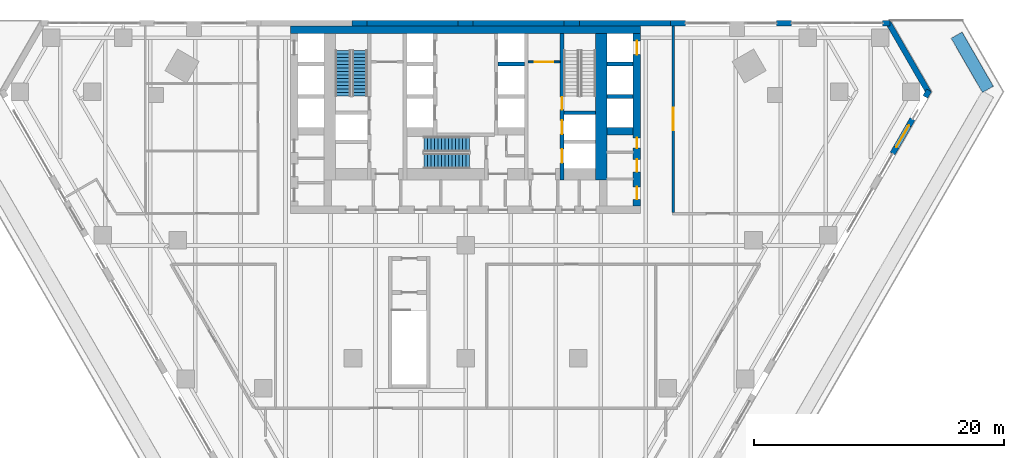
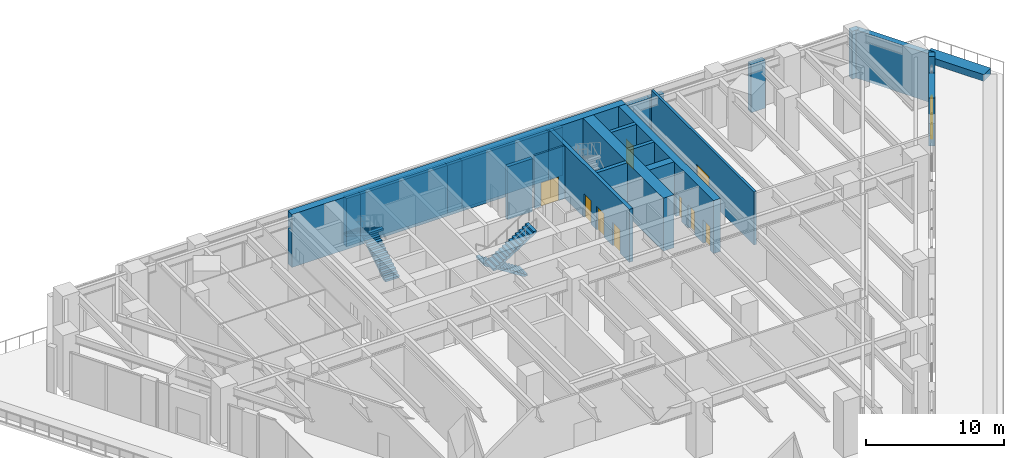
# One storey, part 26 of 31: 24 walls, 10 doors, 4 stair flights, 10 openings, 2 elements without a shape of their own.
"""IFC4 building model written with IfcOpenShell, lengths in metres."""

from ifc_helpers import new_model, si_unit, direction, frame, frame_2d, origin, place, context, subcontext, project, spatial, polyline, rectangle, outline, extrude, material, layer, layer_set, type_object, element, fill, aggregate, save


model = new_model("IFC4")

# Units and contexts
model_context = context("Model", 3, precision=1e-05, world=origin(), true_north=direction((0.0, 1.0)))
body_context = subcontext(model_context, "Body", "Model", "MODEL_VIEW")
ifc_project = project(units=[si_unit("LENGTHUNIT", "METRE"), si_unit("AREAUNIT", "SQUARE_METRE"), si_unit("VOLUMEUNIT", "CUBIC_METRE"), si_unit("PLANEANGLEUNIT", "RADIAN"), si_unit("MASSUNIT", "GRAM", prefix="KILO")], contexts=[model_context])

# Site, building, storey
site_placement = place(None, origin())
site = spatial("IfcSite", under=ifc_project, at=site_placement, CompositionType="ELEMENT")
building_placement = place(site_placement, origin())
building = spatial("IfcBuilding", under=site, at=building_placement, Name="Aloe Facet Convention Tower", CompositionType="ELEMENT")
storey_placement = place(building_placement, frame((0.0, 0.0, 25.0)))
storey = spatial("IfcBuildingStorey", under=building, at=storey_placement, Name="L04", CompositionType="ELEMENT", Elevation=25.0)

# Wall, opening, door
ifc_material_1 = material(Name="Concrete blockwork partition", Category="masonry")
ifc_layer_1 = layer(ifc_material_1, 0.14990234375)
ifc_layer_set_1 = layer_set([ifc_layer_1], Name="CR-W-PART150")
wall_type_1 = type_object("IfcWallType", Name="CR-W-PART150", PredefinedType="PARTITIONING", material=ifc_layer_set_1)
wall_1_placement = place(storey_placement, frame((85.0, 131.675048828125, 0.0), z_axis=(0.0, 0.0, 1.0), x_axis=(1.0, 0.0, 0.0)))
wall_1 = element("IfcWall", 1, at=wall_1_placement, inside=storey, type_object=wall_type_1, Name="Core partition L04-038", PredefinedType="PARTITIONING", context=body_context, shape_type="SweptSolid", body=[
    extrude(rectangle(XDim=2.550048828125, YDim=0.14990234375, at=frame_2d((1.27490234375, 0.0))), origin(), (0.0, 0.0, 1.0), 4.699951171875),
])
opening_1_placement = place(wall_1_placement, frame((0.52490234375, 0.0, 0.0)))
opening_1 = element("IfcOpeningElement", 2, at=opening_1_placement, cuts=wall_1, Name="Opening L04-CD21", PredefinedType="OPENING", context=body_context, shape_type="SweptSolid", body=[
    extrude(rectangle(XDim=1.5, YDim=2.10009765625, at=frame_2d((0.75, 1.050048828125))), frame((0.0, 0.0849609375, 0.0), z_axis=(0.0, -1.0, 0.0), x_axis=(1.0, 0.0, 0.0)), (0.0, 0.0, 1.0), 0.169921875),
])
ifc_material_2 = material(Name="Steel fire-resisting door set FD60", Category="steel")
door_type_1 = type_object("IfcDoorType", Name="CR-D-REFUGE-1500-FD60-DD", OperationType="DOUBLE_DOOR_DOUBLE_SWING", PredefinedType="DOOR", material=ifc_material_2)
door_1_placement = place(opening_1_placement, origin())
door_1 = element("IfcDoor", 3, at=door_1_placement, inside=storey, type_object=door_type_1, Name="Core door L04-CD21", OperationType="DOUBLE_DOOR_DOUBLE_SWING", OverallHeight=2.10009765625, OverallWidth=1.5, PredefinedType="DOOR", context=body_context, shape_type="SweptSolid", body=[
    extrude(rectangle(XDim=1.5, YDim=2.10009765625, at=frame_2d((0.75, 1.050048828125))), frame((0.0, 0.02490234375, 0.0), z_axis=(0.0, -1.0, 0.0), x_axis=(1.0, 0.0, 0.0)), (0.0, 0.0, 1.0), 0.050048828125),
])
fill(opening_1, door_1)

# Wall
ifc_material_3 = material(Name="Concrete C80/95", Category="concrete")
ifc_layer_2 = layer(ifc_material_3, 0.300048828125)
ifc_layer_set_2 = layer_set([ifc_layer_2], Name="CR-W-RC300-C8095")
wall_type_2 = type_object("IfcWallType", Name="CR-W-RC300-C8095", PredefinedType="SOLIDWALL", material=ifc_layer_set_2)
wall_2_placement = place(storey_placement, frame((82.60009765625, 131.5, 0.0), z_axis=(0.0, 0.0, 1.0), x_axis=(1.0, 0.0, 0.0)))
element("IfcWall", 4, at=wall_2_placement, inside=storey, type_object=wall_type_2, Name="Core wall L04-031", PredefinedType="SOLIDWALL", context=body_context, shape_type="SweptSolid", body=[
    extrude(rectangle(XDim=2.099853515625, YDim=0.300048828125, at=frame_2d((1.0498046875, 0.0))), origin(), (0.0, 0.0, 1.0), 4.699951171875),
])

# Wall, openings, doors
wall_3_placement = place(storey_placement, frame((87.699951171875, 133.949951171875, 0.0), z_axis=(0.0, 0.0, 1.0), x_axis=(0.0, -1.0, 0.0)))
wall_3 = element("IfcWall", 5, at=wall_3_placement, inside=storey, type_object=wall_type_2, Name="Core wall L04-042", PredefinedType="SOLIDWALL", context=body_context, shape_type="SweptSolid", body=[
    extrude(rectangle(XDim=11.699951171875, YDim=0.300048828125, at=frame_2d((5.85009765625, 0.0))), origin(), (0.0, 0.0, 1.0), 4.699951171875),
])
opening_2_placement = place(wall_3_placement, frame((6.949951171875, 0.0, 0.0)))
opening_2 = element("IfcOpeningElement", 6, at=opening_2_placement, cuts=wall_3, Name="Opening LD-FF2-L04", PredefinedType="OPENING", context=body_context, shape_type="SweptSolid", body=[
    extrude(rectangle(XDim=1.10009765625, YDim=2.10009765625, at=frame_2d((0.550048828125, 1.050048828125))), frame((0.0, 0.16015625, 0.0), z_axis=(0.0, -1.0, 0.0), x_axis=(1.0, 0.0, 0.0)), (0.0, 0.0, 1.0), 0.320068359375),
])
opening_3_placement = place(wall_3_placement, frame((5.10009765625, 0.0, 0.0)))
opening_3 = element("IfcOpeningElement", 7, at=opening_3_placement, cuts=wall_3, Name="Opening L04-CD31", PredefinedType="OPENING", context=body_context, shape_type="SweptSolid", body=[
    extrude(rectangle(XDim=1.0, YDim=2.10009765625, at=frame_2d((0.5, 1.050048828125))), frame((0.0, 0.16015625, 0.0), z_axis=(0.0, -1.0, 0.0), x_axis=(1.0, 0.0, 0.0)), (0.0, 0.0, 1.0), 0.320068359375),
])
opening_4_placement = place(wall_3_placement, frame((9.25, 0.0, 0.0)))
opening_4 = element("IfcOpeningElement", 8, at=opening_4_placement, cuts=wall_3, Name="Opening LD-SV1-L04", PredefinedType="OPENING", context=body_context, shape_type="SweptSolid", body=[
    extrude(rectangle(XDim=1.10009765625, YDim=2.10009765625, at=frame_2d((0.550048828125, 1.050048828125))), frame((0.0, 0.16015625, 0.0), z_axis=(0.0, -1.0, 0.0), x_axis=(1.0, 0.0, 0.0)), (0.0, 0.0, 1.0), 0.320068359375),
])
ifc_material_4 = material(Name="Steel fire-resisting door set FD120", Category="steel")
door_type_2 = type_object("IfcDoorType", Name="CR-D-STAIR-1000-FD120-SLEFT", OperationType="SINGLE_SWING_LEFT", PredefinedType="DOOR", material=ifc_material_4)
door_2_placement = place(opening_3_placement, origin())
door_2 = element("IfcDoor", 9, at=door_2_placement, inside=storey, type_object=door_type_2, Name="Core door L04-CD31", OperationType="SINGLE_SWING_LEFT", OverallHeight=2.10009765625, OverallWidth=1.0, PredefinedType="DOOR", context=body_context, shape_type="SweptSolid", body=[
    extrude(rectangle(XDim=1.0, YDim=2.10009765625, at=frame_2d((0.5, 1.050048828125))), frame((0.0, 0.02490234375, 0.0), z_axis=(0.0, -1.0, 0.0), x_axis=(1.0, 0.0, 0.0)), (0.0, 0.0, 1.0), 0.050048828125),
])
fill(opening_3, door_2)
ifc_material_5 = material(Name="Stainless steel sliding landing door", Category="steel")
door_type_3 = type_object("IfcDoorType", Name="CR-LD-1100-FD120-_LEFT", OperationType="SLIDING_TO_LEFT", PredefinedType="DOOR", material=ifc_material_5)
door_3_placement = place(opening_2_placement, origin())
door_3 = element("IfcDoor", 10, at=door_3_placement, inside=storey, type_object=door_type_3, Name="Landing door FF2 L04", OperationType="SLIDING_TO_LEFT", OverallHeight=2.10009765625, OverallWidth=1.10009765625, PredefinedType="DOOR", context=body_context, shape_type="SweptSolid", body=[
    extrude(rectangle(XDim=1.10009765625, YDim=2.10009765625, at=frame_2d((0.550048828125, 1.050048828125))), frame((0.0, 0.02490234375, 0.0), z_axis=(0.0, -1.0, 0.0), x_axis=(1.0, 0.0, 0.0)), (0.0, 0.0, 1.0), 0.050048828125),
])
fill(opening_2, door_3)
door_4_placement = place(opening_4_placement, origin())
door_4 = element("IfcDoor", 11, at=door_4_placement, inside=storey, type_object=door_type_3, Name="Landing door SV1 L04", OperationType="SLIDING_TO_LEFT", OverallHeight=2.10009765625, OverallWidth=1.10009765625, PredefinedType="DOOR", context=body_context, shape_type="SweptSolid", body=[
    extrude(rectangle(XDim=1.10009765625, YDim=2.10009765625, at=frame_2d((0.550048828125, 1.050048828125))), frame((0.0, 0.02490234375, 0.0), z_axis=(0.0, -1.0, 0.0), x_axis=(1.0, 0.0, 0.0)), (0.0, 0.0, 1.0), 0.050048828125),
])
fill(opening_4, door_4)

# Walls
wall_4_placement = place(storey_placement, frame((87.85009765625, 127.60009765625, 0.0), z_axis=(0.0, 0.0, 1.0), x_axis=(1.0, 0.0, 0.0)))
element("IfcWall", 12, at=wall_4_placement, inside=storey, type_object=wall_type_2, Name="Core wall L04-043", PredefinedType="SOLIDWALL", context=body_context, shape_type="SweptSolid", body=[
    extrude(rectangle(XDim=2.5498046875, YDim=0.300048828125, at=frame_2d((1.27490234375, 0.0))), origin(), (0.0, 0.0, 1.0), 4.699951171875),
])
for number, where, z_axis, x_axis, name in (
    (13, (91.300048828125, 131.5, 0.0), (0.0, 0.0, 1.0), (1.0, 0.0, 0.0), "Core wall L04-049"),
    (14, (91.300048828125, 128.89990234375, 0.0), (0.0, 0.0, 1.0), (1.0, 0.0, 0.0), "Core wall L04-050"),
):
    element("IfcWall", number, at=place(storey_placement, frame(where, z_axis=z_axis, x_axis=x_axis)), inside=storey, type_object=wall_type_2, Name=name, PredefinedType="SOLIDWALL", context=body_context, shape_type="SweptSolid", body=[
        extrude(rectangle(XDim=2.099853515625, YDim=0.300048828125, at=frame_2d((1.0498046875, 0.0))), origin(), (0.0, 0.0, 1.0), 4.699951171875),
    ])
ifc_material_6 = material(Name="Concrete C80/95", Category="concrete")
ifc_layer_3 = layer(ifc_material_6, 0.60009765625)
ifc_layer_set_3 = layer_set([ifc_layer_3], Name="CR-W-RC600-C8095")
wall_type_3 = type_object("IfcWallType", Name="CR-W-RC600-C8095", PredefinedType="SOLIDWALL", material=ifc_layer_set_3)
wall_5_placement = place(storey_placement, frame((66.0, 134.25, 0.0), z_axis=(0.0, 0.0, 1.0), x_axis=(1.0, 0.0, 0.0)))
element("IfcWall", 15, at=wall_5_placement, inside=storey, type_object=wall_type_3, Name="Core wall L04-001", PredefinedType="SOLIDWALL", context=body_context, shape_type="SweptSolid", body=[
    extrude(rectangle(XDim=28.0, YDim=0.60009765625, at=frame_2d((14.0, 0.0))), origin(), (0.0, 0.0, 1.0), 4.699951171875),
])
wall_6_placement = place(storey_placement, frame((91.300048828125, 126.14990234375, 0.0), z_axis=(0.0, 0.0, 1.0), x_axis=(1.0, 0.0, 0.0)))
element("IfcWall", 16, at=wall_6_placement, inside=storey, type_object=wall_type_3, Name="Core wall L04-051", PredefinedType="SOLIDWALL", context=body_context, shape_type="SweptSolid", body=[
    extrude(rectangle(XDim=2.099853515625, YDim=0.60009765625, at=frame_2d((1.0498046875, 0.0))), origin(), (0.0, 0.0, 1.0), 4.699951171875),
])

# Wall, openings, doors
wall_7_placement = place(storey_placement, frame((93.699951171875, 133.949951171875, 0.0), z_axis=(0.0, 0.0, 1.0), x_axis=(0.0, -1.0, 0.0)))
wall_7 = element("IfcWall", 17, at=wall_7_placement, inside=storey, type_object=wall_type_3, Name="Core wall L04-054", PredefinedType="SOLIDWALL", context=body_context, shape_type="SweptSolid", body=[
    extrude(rectangle(XDim=13.800048828125, YDim=0.60009765625, at=frame_2d((6.89990234375, 0.0))), origin(), (0.0, 0.0, 1.0), 4.699951171875),
])
opening_5_placement = place(wall_7_placement, frame((0.60009765625, 0.0, 0.0)))
opening_5 = element("IfcOpeningElement", 18, at=opening_5_placement, cuts=wall_7, Name="Opening LD-A8-L04", PredefinedType="OPENING", context=body_context, shape_type="SweptSolid", body=[
    extrude(rectangle(XDim=1.10009765625, YDim=2.10009765625, at=frame_2d((0.550048828125, 1.050048828125))), frame((0.0, 0.31005859375, 0.0), z_axis=(0.0, -1.0, 0.0), x_axis=(1.0, 0.0, 0.0)), (0.0, 0.0, 1.0), 0.6201171875),
])
opening_6_placement = place(wall_7_placement, frame((8.35009765625, 0.0, 0.0)))
opening_6 = element("IfcOpeningElement", 19, at=opening_6_placement, cuts=wall_7, Name="Opening L04-CD09", PredefinedType="OPENING", context=body_context, shape_type="SweptSolid", body=[
    extrude(rectangle(XDim=0.826416015625, YDim=2.10009765625, at=frame_2d((0.4130859375, 1.050048828125))), frame((0.0, 0.31005859375, 0.0), z_axis=(0.0, -1.0, 0.0), x_axis=(1.0, 0.0, 0.0)), (0.0, 0.0, 1.0), 0.6201171875),
])
opening_7_placement = place(wall_7_placement, frame((10.071044921875, 0.0, 0.0)))
opening_7 = element("IfcOpeningElement", 20, at=opening_7_placement, cuts=wall_7, Name="Opening L04-CD10", PredefinedType="OPENING", context=body_context, shape_type="SweptSolid", body=[
    extrude(rectangle(XDim=1.0, YDim=2.10009765625, at=frame_2d((0.5, 1.050048828125))), frame((0.0, 0.31005859375, 0.0), z_axis=(0.0, -1.0, 0.0), x_axis=(1.0, 0.0, 0.0)), (0.0, 0.0, 1.0), 0.6201171875),
])
opening_8_placement = place(wall_7_placement, frame((12.2578125, 0.0, 0.0)))
opening_8 = element("IfcOpeningElement", 21, at=opening_8_placement, cuts=wall_7, Name="Opening L04-CD11", PredefinedType="OPENING", context=body_context, shape_type="SweptSolid", body=[
    extrude(rectangle(XDim=1.0, YDim=2.10009765625, at=frame_2d((0.5, 1.050048828125))), frame((0.0, 0.31005859375, 0.0), z_axis=(0.0, -1.0, 0.0), x_axis=(1.0, 0.0, 0.0)), (0.0, 0.0, 1.0), 0.6201171875),
])
ifc_material_7 = material(Name="Steel fire-resisting door set FD60", Category="steel")
door_type_4 = type_object("IfcDoorType", Name="CR-D-ROOM-1000-FD60-SLEFT", OperationType="SINGLE_SWING_LEFT", PredefinedType="DOOR", material=ifc_material_7)
door_5_placement = place(opening_7_placement, origin())
door_5 = element("IfcDoor", 22, at=door_5_placement, inside=storey, type_object=door_type_4, Name="Core door L04-CD10", OperationType="SINGLE_SWING_LEFT", OverallHeight=2.10009765625, OverallWidth=1.0, PredefinedType="DOOR", context=body_context, shape_type="SweptSolid", body=[
    extrude(rectangle(XDim=1.0, YDim=2.10009765625, at=frame_2d((0.5, 1.050048828125))), frame((0.0, 0.02490234375, 0.0), z_axis=(0.0, -1.0, 0.0), x_axis=(1.0, 0.0, 0.0)), (0.0, 0.0, 1.0), 0.050048828125),
])
fill(opening_7, door_5)
door_6_placement = place(opening_8_placement, origin())
door_6 = element("IfcDoor", 23, at=door_6_placement, inside=storey, type_object=door_type_4, Name="Core door L04-CD11", OperationType="SINGLE_SWING_LEFT", OverallHeight=2.10009765625, OverallWidth=1.0, PredefinedType="DOOR", context=body_context, shape_type="SweptSolid", body=[
    extrude(rectangle(XDim=1.0, YDim=2.10009765625, at=frame_2d((0.5, 1.050048828125))), frame((0.0, 0.02490234375, 0.0), z_axis=(0.0, -1.0, 0.0), x_axis=(1.0, 0.0, 0.0)), (0.0, 0.0, 1.0), 0.050048828125),
])
fill(opening_8, door_6)
ifc_material_8 = material(Name="Steel fire-resisting door set FD60", Category="steel")
door_type_5 = type_object("IfcDoorType", Name="CR-D-ROOM-826-FD60-SLEFT", OperationType="SINGLE_SWING_LEFT", PredefinedType="DOOR", material=ifc_material_8)
door_7_placement = place(opening_6_placement, origin())
door_7 = element("IfcDoor", 24, at=door_7_placement, inside=storey, type_object=door_type_5, Name="Core door L04-CD09", OperationType="SINGLE_SWING_LEFT", OverallHeight=2.10009765625, OverallWidth=0.826416015625, PredefinedType="DOOR", context=body_context, shape_type="SweptSolid", body=[
    extrude(rectangle(XDim=0.826416015625, YDim=2.10009765625, at=frame_2d((0.4130859375, 1.050048828125))), frame((0.0, 0.02490234375, 0.0), z_axis=(0.0, -1.0, 0.0), x_axis=(1.0, 0.0, 0.0)), (0.0, 0.0, 1.0), 0.050048828125),
])
fill(opening_6, door_7)
ifc_material_9 = material(Name="Stainless steel sliding landing door", Category="steel")
door_type_6 = type_object("IfcDoorType", Name="CR-LD-1100-FD60-_LEFT", OperationType="SLIDING_TO_LEFT", PredefinedType="DOOR", material=ifc_material_9)
door_8_placement = place(opening_5_placement, origin())
door_8 = element("IfcDoor", 25, at=door_8_placement, inside=storey, type_object=door_type_6, Name="Landing door A8 L04", OperationType="SLIDING_TO_LEFT", OverallHeight=2.10009765625, OverallWidth=1.10009765625, PredefinedType="DOOR", context=body_context, shape_type="SweptSolid", body=[
    extrude(rectangle(XDim=1.10009765625, YDim=2.10009765625, at=frame_2d((0.550048828125, 1.050048828125))), frame((0.0, 0.02490234375, 0.0), z_axis=(0.0, -1.0, 0.0), x_axis=(1.0, 0.0, 0.0)), (0.0, 0.0, 1.0), 0.050048828125),
])
fill(opening_5, door_8)

# Walls
ifc_material_10 = material(Name="Concrete C80/95", Category="concrete")
ifc_layer_4 = layer(ifc_material_10, 0.89990234375)
ifc_layer_set_4 = layer_set([ifc_layer_4], Name="CR-W-RC900-C8095")
wall_type_4 = type_object("IfcWallType", Name="CR-W-RC900-C8095", PredefinedType="SOLIDWALL", material=ifc_layer_set_4)
wall_8_placement = place(storey_placement, frame((90.85009765625, 133.949951171875, 0.0), z_axis=(0.0, 0.0, 1.0), x_axis=(0.0, -1.0, 0.0)))
element("IfcWall", 26, at=wall_8_placement, inside=storey, type_object=wall_type_4, Name="Core wall L04-047", PredefinedType="SOLIDWALL", context=body_context, shape_type="SweptSolid", body=[
    extrude(rectangle(XDim=11.699951171875, YDim=0.89990234375, at=frame_2d((5.85009765625, 0.0))), origin(), (0.0, 0.0, 1.0), 4.699951171875),
])
ifc_material_11 = material(Name="Precast concrete C40/50", Category="concrete")
ifc_layer_5 = layer(ifc_material_11, 1.0)
ifc_layer_set_5 = layer_set([ifc_layer_5], Name="EV-PLANTER-BED")
wall_type_5 = type_object("IfcWallType", Name="EV-PLANTER-BED", PredefinedType="STANDARD", material=ifc_layer_set_5)
wall_9_placement = place(storey_placement, frame((119.25439453125, 133.80712890625, 0.0), z_axis=(0.0, 0.0, 1.0), x_axis=(0.500004234368, -0.866022959057, 0.0)))
element("IfcWall", 27, at=wall_9_placement, inside=storey, type_object=wall_type_5, Name="PLANTER PT-L04-1-1", PredefinedType="STANDARD", context=body_context, shape_type="SweptSolid", body=[
    extrude(rectangle(XDim=5.0, YDim=1.0, at=frame_2d((2.5, 0.0))), origin(), (0.0, 0.0, 1.0), 0.60009765625),
])
ifc_material_12 = material(Name="Precast concrete C40/50", Category="concrete")
ifc_layer_6 = layer(ifc_material_12, 0.449951171875)
ifc_layer_set_6 = layer_set([ifc_layer_6], Name="EV-WALL-PIER")
wall_type_6 = type_object("IfcWallType", Name="EV-WALL-PIER", PredefinedType="SOLIDWALL", material=ifc_layer_set_6)
wall_10_placement = place(storey_placement, frame((0.0, 0.0, -0.25)))
element("IfcWall", 28, at=wall_10_placement, inside=storey, type_object=wall_type_6, Name="EP-L04-C", PredefinedType="SOLIDWALL", context=body_context, shape_type="SweptSolid", body=[
    extrude(outline(polyline([(117.2470703125, 129.2841796875), (116.857177734375, 129.50927734375), (116.727294921875, 129.2841796875), (113.687255859375, 134.550048828125), (113.947021484375, 134.550048828125), (113.947021484375, 135.0), (117.2470703125, 129.2841796875)])), origin(), (0.0, 0.0, 1.0), 4.262451171875),
])
ifc_material_13 = material(Name="Precast concrete C40/50", Category="concrete")
ifc_layer_7 = layer(ifc_material_13, 0.449951171875)
ifc_layer_set_7 = layer_set([ifc_layer_7], Name="EV-WALL-STONE")
wall_type_7 = type_object("IfcWallType", Name="EV-WALL-STONE", PredefinedType="SOLIDWALL", material=ifc_layer_set_7)
wall_11_placement = place(storey_placement, frame((113.947021484375, 134.77490234375, -0.25), z_axis=(0.0, 0.0, 1.0), x_axis=(-1.0, 0.0, 0.0)))
element("IfcWall", 29, at=wall_11_placement, inside=storey, type_object=wall_type_7, Name="PW-L04-N01", PredefinedType="SOLIDWALL", context=body_context, shape_type="SweptSolid", body=[
    extrude(rectangle(XDim=0.60009765625, YDim=0.449951171875, at=frame_2d((0.300048828125, 0.0))), origin(), (0.0, 0.0, 1.0), 4.262451171875),
])
for number, where, z_axis, x_axis, name in (
    (30, (106.060302734375, 134.77490234375, -0.25), (0.0, 0.0, 1.0), (-1.0, 0.0, 0.0), "PW-L04-N03"),
    (31, (97.573486328125, 134.77490234375, -0.25), (0.0, 0.0, 1.0), (-1.0, 0.0, 0.0), "PW-L04-N05"),
):
    element("IfcWall", number, at=place(storey_placement, frame(where, z_axis=z_axis, x_axis=x_axis)), inside=storey, type_object=wall_type_7, Name=name, PredefinedType="SOLIDWALL", context=body_context, shape_type="SweptSolid", body=[
        extrude(rectangle(XDim=1.199951171875, YDim=0.449951171875, at=frame_2d((0.60009765625, 0.0))), origin(), (0.0, 0.0, 1.0), 4.262451171875),
    ])
wall_12_placement = place(storey_placement, frame((96.37353515625, 134.77490234375, -0.25), z_axis=(0.0, 0.0, 1.0), x_axis=(-1.0, 0.0, 0.0)))
element("IfcWall", 32, at=wall_12_placement, inside=storey, type_object=wall_type_7, Name="PW-L04-N06", PredefinedType="SOLIDWALL", context=body_context, shape_type="SweptSolid", body=[
    extrude(rectangle(XDim=7.286865234375, YDim=0.449951171875, at=frame_2d((3.6435546875, 0.0))), origin(), (0.0, 0.0, 1.0), 4.262451171875),
])
wall_13_placement = place(storey_placement, frame((89.086669921875, 134.77490234375, -0.25), z_axis=(0.0, 0.0, 1.0), x_axis=(-1.0, 0.0, 0.0)))
element("IfcWall", 33, at=wall_13_placement, inside=storey, type_object=wall_type_7, Name="PW-L04-N07", PredefinedType="SOLIDWALL", context=body_context, shape_type="SweptSolid", body=[
    extrude(rectangle(XDim=1.199951171875, YDim=0.449951171875, at=frame_2d((0.60009765625, 0.0))), origin(), (0.0, 0.0, 1.0), 4.262451171875),
])
wall_14_placement = place(storey_placement, frame((87.88671875, 134.77490234375, -0.25), z_axis=(0.0, 0.0, 1.0), x_axis=(-1.0, 0.0, 0.0)))
element("IfcWall", 34, at=wall_14_placement, inside=storey, type_object=wall_type_7, Name="PW-L04-N08", PredefinedType="SOLIDWALL", context=body_context, shape_type="SweptSolid", body=[
    extrude(rectangle(XDim=7.28662109375, YDim=0.449951171875, at=frame_2d((3.643310546875, 0.0))), origin(), (0.0, 0.0, 1.0), 4.262451171875),
])
wall_15_placement = place(storey_placement, frame((80.60009765625, 134.77490234375, -0.25), z_axis=(0.0, 0.0, 1.0), x_axis=(-1.0, 0.0, 0.0)))
element("IfcWall", 35, at=wall_15_placement, inside=storey, type_object=wall_type_7, Name="PW-L04-N09", PredefinedType="SOLIDWALL", context=body_context, shape_type="SweptSolid", body=[
    extrude(rectangle(XDim=1.2001953125, YDim=0.449951171875, at=frame_2d((0.60009765625, 0.0))), origin(), (0.0, 0.0, 1.0), 4.262451171875),
])
wall_16_placement = place(storey_placement, frame((79.39990234375, 134.77490234375, -0.25), z_axis=(0.0, 0.0, 1.0), x_axis=(-1.0, 0.0, 0.0)))
element("IfcWall", 36, at=wall_16_placement, inside=storey, type_object=wall_type_7, Name="PW-L04-N10", PredefinedType="SOLIDWALL", context=body_context, shape_type="SweptSolid", body=[
    extrude(rectangle(XDim=7.28662109375, YDim=0.449951171875, at=frame_2d((3.643310546875, 0.0))), origin(), (0.0, 0.0, 1.0), 4.262451171875),
])
wall_17_placement = place(storey_placement, frame((72.11328125, 134.77490234375, -0.25), z_axis=(0.0, 0.0, 1.0), x_axis=(-1.0, 0.0, 0.0)))
element("IfcWall", 37, at=wall_17_placement, inside=storey, type_object=wall_type_7, Name="PW-L04-N11", PredefinedType="SOLIDWALL", context=body_context, shape_type="SweptSolid", body=[
    extrude(rectangle(XDim=1.199951171875, YDim=0.449951171875, at=frame_2d((0.60009765625, 0.0))), origin(), (0.0, 0.0, 1.0), 4.262451171875),
])

# Wall, opening, door
wall_18_placement = place(storey_placement, frame((114.13037109375, 124.336181640625, -0.25), z_axis=(0.0, 0.0, 1.0), x_axis=(0.500028443584, 0.866008981251, 0.0)))
wall_18 = element("IfcWall", 38, at=wall_18_placement, inside=storey, type_object=wall_type_7, Name="PW-L04-E16", PredefinedType="SOLIDWALL", context=body_context, shape_type="SweptSolid", body=[
    extrude(rectangle(XDim=3.199951171875, YDim=0.449951171875, at=frame_2d((1.60009765625, 0.0))), origin(), (0.0, 0.0, 1.0), 4.262451171875),
])
opening_9_placement = place(wall_18_placement, frame((0.60009765625, 0.0, 0.25)))
opening_9 = element("IfcOpeningElement", 39, at=opening_9_placement, cuts=wall_18, Name="Opening D-L04-E16", PredefinedType="OPENING", context=body_context, shape_type="SweptSolid", body=[
    extrude(rectangle(XDim=2.0, YDim=2.39990234375, at=frame_2d((1.0, 1.199951171875))), frame((0.0, 0.23486328125, 0.0), z_axis=(0.0, -1.0, 0.0), x_axis=(1.0, 0.0, 0.0)), (0.0, 0.0, 1.0), 0.469970703125),
])
ifc_material_14 = material(Name="Aluminium frame, clear double glazing", Category="aluminium")
door_type_7 = type_object("IfcDoorType", Name="EV-DOOR-HALL", OperationType="DOUBLE_DOOR_SINGLE_SWING", PredefinedType="DOOR", material=ifc_material_14)
door_9_placement = place(opening_9_placement, origin())
door_9 = element("IfcDoor", 40, at=door_9_placement, inside=storey, type_object=door_type_7, Name="D-L04-E16", OperationType="DOUBLE_DOOR_SINGLE_SWING", OverallHeight=2.39990234375, OverallWidth=2.0, PredefinedType="DOOR", context=body_context, shape_type="SweptSolid", body=[
    extrude(rectangle(XDim=2.0, YDim=2.39990234375, at=frame_2d((1.0, 1.199951171875))), frame((0.0, 0.02490234375, 0.0), z_axis=(0.0, -1.0, 0.0), x_axis=(1.0, 0.0, 0.0)), (0.0, 0.0, 1.0), 0.050048828125),
])
fill(opening_9, door_9)

# Wall
wall_19_placement = place(storey_placement, frame((116.752197265625, 128.877197265625, -0.25), z_axis=(0.0, 0.0, 1.0), x_axis=(0.50012165622, 0.865955154139, 0.0)))
element("IfcWall", 41, at=wall_19_placement, inside=storey, type_object=wall_type_7, Name="PW-L04-E17", PredefinedType="SOLIDWALL", context=body_context, shape_type="SweptSolid", body=[
    extrude(rectangle(XDim=0.599853515625, YDim=0.449951171875, at=frame_2d((0.2998046875, 0.0))), origin(), (0.0, 0.0, 1.0), 4.262451171875),
])

# Wall, opening, door
ifc_material_15 = material(Name="Masonry blockwork wall, plastered", Category="masonry")
ifc_layer_8 = layer(ifc_material_15, 0.199951171875)
ifc_layer_set_8 = layer_set([ifc_layer_8], Name="IN-POD-W-ASSY")
wall_type_8 = type_object("IfcWallType", Name="IN-POD-W-ASSY", PredefinedType="PARTITIONING", material=ifc_layer_set_8)
wall_20_placement = place(storey_placement, frame((96.6005859375, 119.635009765625, 0.0), z_axis=(0.0, 0.0, 1.0), x_axis=(-3.2737511e-05, 0.999999999464, 0.0)))
wall_20 = element("IfcWall", 42, at=wall_20_placement, inside=storey, type_object=wall_type_8, Name="Partition L04-W045", PredefinedType="PARTITIONING", context=body_context, shape_type="SweptSolid", body=[
    extrude(rectangle(XDim=14.9150390625, YDim=0.199951171875, at=frame_2d((7.45751953125, 0.0))), origin(), (0.0, 0.0, 1.0), 4.699951171875),
])
opening_10_placement = place(wall_20_placement, frame((6.557373046875, 0.0, 0.0)))
opening_10 = element("IfcOpeningElement", 43, at=opening_10_placement, cuts=wall_20, Name="Opening L04-005", PredefinedType="OPENING", context=body_context, shape_type="SweptSolid", body=[
    extrude(rectangle(XDim=1.800048828125, YDim=2.10009765625, at=frame_2d((0.89990234375, 1.050048828125))), frame((0.0, 0.10986328125, 0.0), z_axis=(0.0, -1.0, 0.0), x_axis=(1.0, 0.0, 0.0)), (0.0, 0.0, 1.0), 0.219970703125),
])
ifc_material_16 = material(Name="Hardwood flush door pair", Category="wood")
door_type_8 = type_object("IfcDoorType", Name="IN-POD-D-PAIR", OperationType="DOUBLE_DOOR_SINGLE_SWING", PredefinedType="DOOR", material=ifc_material_16)
door_10_placement = place(opening_10_placement, origin())
door_10 = element("IfcDoor", 44, at=door_10_placement, inside=storey, type_object=door_type_8, Name="Door L04-005", OperationType="SINGLE_SWING_LEFT", OverallHeight=2.10009765625, OverallWidth=1.800048828125, PredefinedType="DOOR", context=body_context, shape_type="SweptSolid", body=[
    extrude(rectangle(XDim=1.800048828125, YDim=2.10009765625, at=frame_2d((0.89990234375, 1.050048828125))), frame((0.0, 0.02490234375, 0.0), z_axis=(0.0, -1.0, 0.0), x_axis=(1.0, 0.0, 0.0)), (0.0, 0.0, 1.0), 0.050048828125),
])
fill(opening_10, door_10)

# Stair, stair flights
ifc_material_17 = material(Name="Concrete C50/60", Category="concrete")
stair_type = type_object("IfcStairType", Name="CR-ST-28R", PredefinedType="HALF_TURN_STAIR", material=ifc_material_17)
stair_1_placement = place(storey_placement, origin())
stair_1 = element("IfcStair", 45, at=stair_1_placement, inside=storey, type_object=stair_type, Name="L04 Protected exit stair ST1", PredefinedType="HALF_TURN_STAIR")
ifc_material_18 = material(Name="Concrete C50/60", Category="concrete")
stair_flight_type = type_object("IfcStairFlightType", Name="CR-SFL-28R", PredefinedType="STRAIGHT", material=ifc_material_18)
stair_flight_1_placement = place(storey_placement, frame((71.550048828125, 128.949951171875, 0.0), z_axis=(0.0, 0.0, 1.0), x_axis=(0.0, 1.0, 0.0)))
stair_flight_1 = element("IfcStairFlight", 46, at=stair_flight_1_placement, type_object=stair_flight_type, Name="ST1 flight 1", NumberOfRisers=14, NumberOfTreads=13, PredefinedType="STRAIGHT", RiserHeight=0.178571429, TreadLength=0.28, context=body_context, shape_type="SweptSolid", body=[
    extrude(outline(polyline([(0.0, 0.0), (0.0, 0.178466796875), (0.280029296875, 0.178466796875), (0.280029296875, 0.357177734375), (0.56005859375, 0.357177734375), (0.56005859375, 0.53564453125), (0.840087890625, 0.53564453125), (0.840087890625, 0.71435546875), (1.1201171875, 0.71435546875), (1.1201171875, 0.892822265625), (1.39990234375, 0.892822265625), (1.39990234375, 1.071533203125), (1.679931640625, 1.071533203125), (1.679931640625, 1.25), (1.9599609375, 1.25), (1.9599609375, 1.428466796875), (2.239990234375, 1.428466796875), (2.239990234375, 1.607177734375), (2.52001953125, 1.607177734375), (2.52001953125, 1.78564453125), (2.800048828125, 1.78564453125), (2.800048828125, 1.96435546875), (3.080078125, 1.96435546875), (3.080078125, 2.142822265625), (3.360107421875, 2.142822265625), (3.360107421875, 2.321533203125), (3.639892578125, 2.321533203125), (3.639892578125, 2.5), (3.639892578125, 2.1435546875), (0.27880859375, 0.0), (0.0, 0.0)])), frame((0.0, 0.60009765625, 0.0), z_axis=(0.0, -1.0, 0.0), x_axis=(1.0, 0.0, 0.0)), (0.0, 0.0, 1.0), 1.199951171875),
])
stair_flight_2_placement = place(storey_placement, frame((70.199951171875, 132.590087890625, 2.5), z_axis=(0.0, 0.0, 1.0), x_axis=(0.0, -1.0, 0.0)))
stair_flight_2 = element("IfcStairFlight", 47, at=stair_flight_2_placement, type_object=stair_flight_type, Name="ST1 flight 2", NumberOfRisers=14, NumberOfTreads=13, PredefinedType="STRAIGHT", RiserHeight=0.178571429, TreadLength=0.28, context=body_context, shape_type="SweptSolid", body=[
    extrude(outline(polyline([(0.0, 0.0), (0.0, 0.178466796875), (0.280029296875, 0.178466796875), (0.280029296875, 0.357177734375), (0.56005859375, 0.357177734375), (0.56005859375, 0.53564453125), (0.840087890625, 0.53564453125), (0.840087890625, 0.71435546875), (1.1201171875, 0.71435546875), (1.1201171875, 0.892822265625), (1.39990234375, 0.892822265625), (1.39990234375, 1.071533203125), (1.679931640625, 1.071533203125), (1.679931640625, 1.25), (1.9599609375, 1.25), (1.9599609375, 1.428466796875), (2.239990234375, 1.428466796875), (2.239990234375, 1.607177734375), (2.52001953125, 1.607177734375), (2.52001953125, 1.78564453125), (2.800048828125, 1.78564453125), (2.800048828125, 1.96435546875), (3.080078125, 1.96435546875), (3.080078125, 2.142822265625), (3.360107421875, 2.142822265625), (3.360107421875, 2.321533203125), (3.639892578125, 2.321533203125), (3.639892578125, 2.5), (3.639892578125, 2.1435546875), (0.27880859375, 0.0), (0.0, 0.0)])), frame((0.0, 0.60009765625, 0.0), z_axis=(0.0, -1.0, 0.0), x_axis=(1.0, 0.0, 0.0)), (0.0, 0.0, 1.0), 1.199951171875),
])
aggregate(stair_1, [stair_flight_1, stair_flight_2])

stair_2_placement = place(storey_placement, origin())
stair_2 = element("IfcStair", 48, at=stair_2_placement, inside=storey, type_object=stair_type, Name="L04 Protected exit stair ST3", PredefinedType="HALF_TURN_STAIR")
stair_flight_3_placement = place(storey_placement, frame((80.300048828125, 125.10009765625, 0.0), z_axis=(0.0, 0.0, 1.0), x_axis=(-1.0, 0.0, 0.0)))
stair_flight_3 = element("IfcStairFlight", 49, at=stair_flight_3_placement, type_object=stair_flight_type, Name="ST3 flight 1", NumberOfRisers=14, NumberOfTreads=13, PredefinedType="STRAIGHT", RiserHeight=0.178571429, TreadLength=0.28, context=body_context, shape_type="SweptSolid", body=[
    extrude(outline(polyline([(0.0, 0.0), (0.0, 0.178466796875), (0.280029296875, 0.178466796875), (0.280029296875, 0.357177734375), (0.56005859375, 0.357177734375), (0.56005859375, 0.53564453125), (0.840087890625, 0.53564453125), (0.840087890625, 0.71435546875), (1.1201171875, 0.71435546875), (1.1201171875, 0.892822265625), (1.39990234375, 0.892822265625), (1.39990234375, 1.071533203125), (1.679931640625, 1.071533203125), (1.679931640625, 1.25), (1.9599609375, 1.25), (1.9599609375, 1.428466796875), (2.239990234375, 1.428466796875), (2.239990234375, 1.607177734375), (2.52001953125, 1.607177734375), (2.52001953125, 1.78564453125), (2.800048828125, 1.78564453125), (2.800048828125, 1.96435546875), (3.080078125, 1.96435546875), (3.080078125, 2.142822265625), (3.360107421875, 2.142822265625), (3.360107421875, 2.321533203125), (3.639892578125, 2.321533203125), (3.639892578125, 2.5), (3.639892578125, 2.1435546875), (0.27880859375, 0.0), (0.0, 0.0)])), frame((0.0, 0.60009765625, 0.0), z_axis=(0.0, -1.0, 0.0), x_axis=(1.0, 0.0, 0.0)), (0.0, 0.0, 1.0), 1.199951171875),
])
stair_flight_4_placement = place(storey_placement, frame((76.659912109375, 123.75, 2.5), z_axis=(0.0, 0.0, 1.0), x_axis=(1.0, 0.0, 0.0)))
stair_flight_4 = element("IfcStairFlight", 50, at=stair_flight_4_placement, type_object=stair_flight_type, Name="ST3 flight 2", NumberOfRisers=14, NumberOfTreads=13, PredefinedType="STRAIGHT", RiserHeight=0.178571429, TreadLength=0.28, context=body_context, shape_type="SweptSolid", body=[
    extrude(outline(polyline([(0.0, 0.0), (0.0, 0.178466796875), (0.280029296875, 0.178466796875), (0.280029296875, 0.357177734375), (0.56005859375, 0.357177734375), (0.56005859375, 0.53564453125), (0.840087890625, 0.53564453125), (0.840087890625, 0.71435546875), (1.1201171875, 0.71435546875), (1.1201171875, 0.892822265625), (1.39990234375, 0.892822265625), (1.39990234375, 1.071533203125), (1.679931640625, 1.071533203125), (1.679931640625, 1.25), (1.9599609375, 1.25), (1.9599609375, 1.428466796875), (2.239990234375, 1.428466796875), (2.239990234375, 1.607177734375), (2.52001953125, 1.607177734375), (2.52001953125, 1.78564453125), (2.800048828125, 1.78564453125), (2.800048828125, 1.96435546875), (3.080078125, 1.96435546875), (3.080078125, 2.142822265625), (3.360107421875, 2.142822265625), (3.360107421875, 2.321533203125), (3.639892578125, 2.321533203125), (3.639892578125, 2.5), (3.639892578125, 2.1435546875), (0.27880859375, 0.0), (0.0, 0.0)])), frame((0.0, 0.60009765625, 0.0), z_axis=(0.0, -1.0, 0.0), x_axis=(1.0, 0.0, 0.0)), (0.0, 0.0, 1.0), 1.199951171875),
])
aggregate(stair_2, [stair_flight_3, stair_flight_4])

save(model, "model.ifc")
